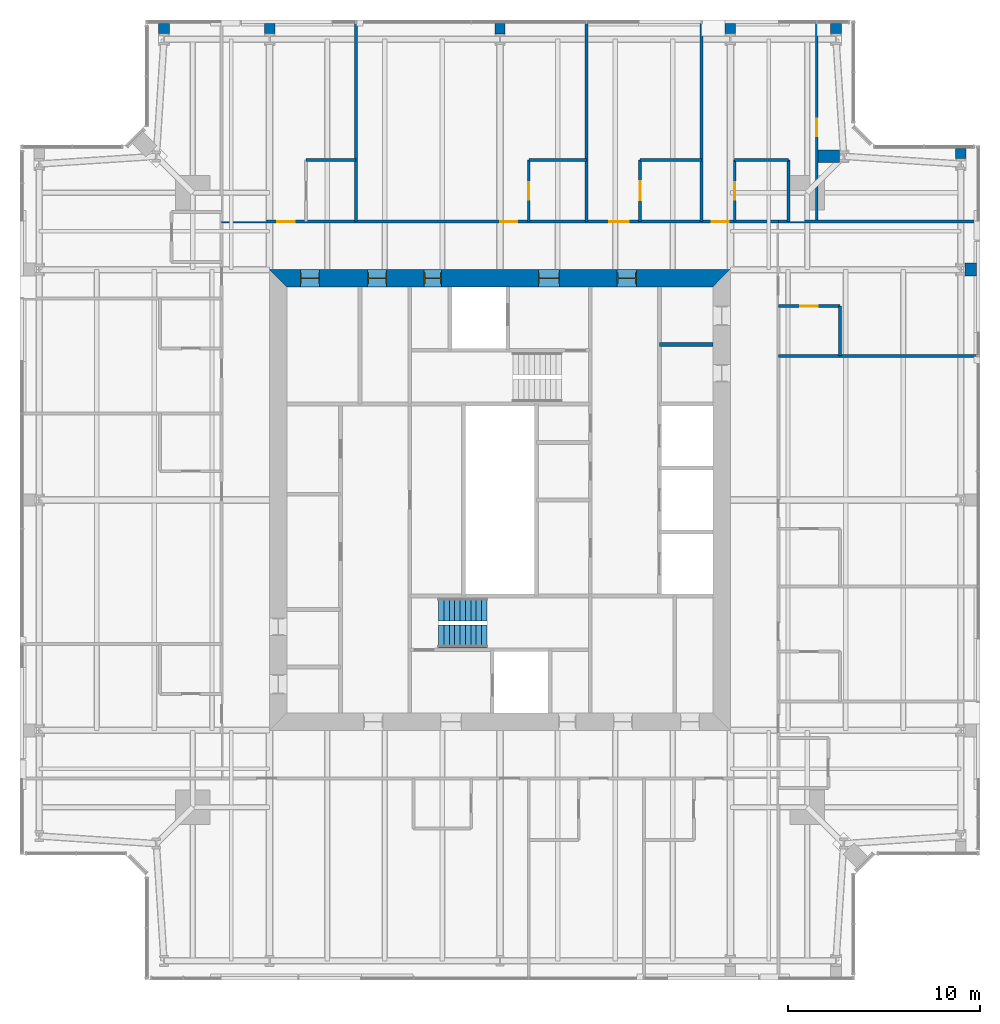
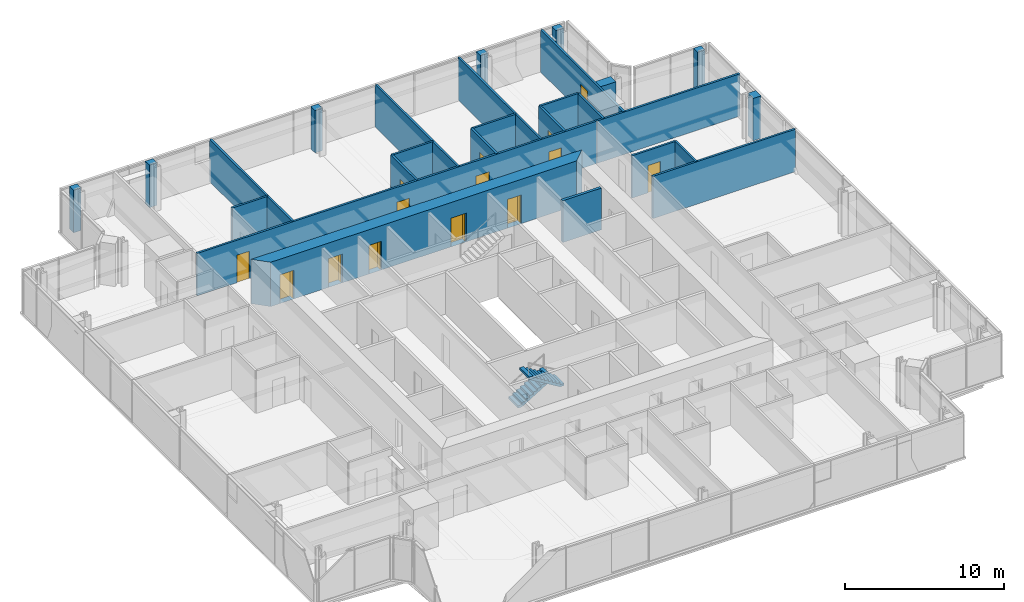
# One storey, part 14 of 18: 27 walls, 14 doors, 2 stair flights, 14 openings, 1 element without a shape of its own.
"""IFC4 building model written with IfcOpenShell, lengths in metres."""

from ifc_helpers import new_model, si_unit, direction, frame, frame_2d, origin, place, context, subcontext, project, spatial, polyline, rectangle, outline, extrude, material, layer, layer_set, type_object, element, fill, aggregate, save


model = new_model("IFC4")

# Units and contexts
model_context = context("Model", 3, precision=1e-05, world=origin(), true_north=direction((0.0, 1.0)))
body_context = subcontext(model_context, "Body", "Model", "MODEL_VIEW")
ifc_project = project(units=[si_unit("LENGTHUNIT", "METRE"), si_unit("AREAUNIT", "SQUARE_METRE"), si_unit("VOLUMEUNIT", "CUBIC_METRE"), si_unit("PLANEANGLEUNIT", "RADIAN"), si_unit("MASSUNIT", "GRAM", prefix="KILO")], contexts=[model_context])

# Site, building, storey
site_placement = place(None, origin())
site = spatial("IfcSite", under=ifc_project, at=site_placement, CompositionType="ELEMENT")
building_placement = place(site_placement, origin())
building = spatial("IfcBuilding", under=site, at=building_placement, Name="Fenwick Lantern Interchange", CompositionType="ELEMENT")
storey_placement = place(building_placement, frame((0.0, 0.0, 266.199951171875)))
storey = spatial("IfcBuildingStorey", under=building, at=storey_placement, Name="L63", CompositionType="ELEMENT", Elevation=266.199951171875)

# Walls
ifc_material_1 = material(Name="Fire-rated gypsum board encasement on steel studs, 2 hour", Category="steel")
ifc_layer_1 = layer(ifc_material_1, 0.5419921875)
ifc_layer_set_1 = layer_set([ifc_layer_1], Name="COLUMN PIER 542")
wall_type_1 = type_object("IfcWallType", Name="COLUMN PIER 542", PredefinedType="PARTITIONING", material=ifc_layer_set_1)
wall_1_placement = place(storey_placement, frame((25.0, 49.81005859375, 0.0), z_axis=(0.0, 0.0, 1.0), x_axis=(0.0, -1.0, 0.0)))
element("IfcWall", 1, at=wall_1_placement, inside=storey, type_object=wall_type_1, Name="L63/W/PIER/CN3", PredefinedType="PARTITIONING", context=body_context, shape_type="SweptSolid", body=[
    extrude(rectangle(XDim=0.544677734375, YDim=0.5419921875, at=frame_2d((0.2724609375, 0.0))), origin(), (0.0, 0.0, 1.0), 3.25),
])
ifc_layer_2 = layer(ifc_material_1, 0.554931640625)
ifc_layer_set_2 = layer_set([ifc_layer_2], Name="COLUMN PIER 555")
wall_type_2 = type_object("IfcWallType", Name="COLUMN PIER 555", PredefinedType="PARTITIONING", material=ifc_layer_set_2)
for number, where, z_axis, x_axis, name in (
    (2, (49.0, 43.31005859375, 0.0), (0.0, 0.0, 1.0), (0.0, -1.0, 0.0), "L63/W/PIER/CE5"),
    (3, (42.5, 49.81005859375, 0.0), (0.0, 0.0, 1.0), (0.0, -1.0, 0.0), "L63/W/PIER/CN1"),
    (4, (37.0, 49.81005859375, 0.0), (0.0, 0.0, 1.0), (0.0, -1.0, 0.0), "L63/W/PIER/CN2"),
    (5, (13.0, 49.81005859375, 0.0), (0.0, 0.0, 1.0), (0.0, -1.0, 0.0), "L63/W/PIER/CN4"),
    (6, (7.5, 49.81005859375, 0.0), (0.0, 0.0, 1.0), (0.0, -1.0, 0.0), "L63/W/PIER/CN5"),
):
    element("IfcWall", number, at=place(storey_placement, frame(where, z_axis=z_axis, x_axis=x_axis)), inside=storey, type_object=wall_type_2, Name=name, PredefinedType="PARTITIONING", context=body_context, shape_type="SweptSolid", body=[
        extrude(rectangle(XDim=0.525634765625, YDim=0.554931640625, at=frame_2d((0.2626953125, 0.0))), origin(), (0.0, 0.0, 1.0), 3.25),
    ])
ifc_layer_3 = layer(ifc_material_1, 0.6689453125)
ifc_layer_set_3 = layer_set([ifc_layer_3], Name="COLUMN PIER 669")
wall_type_3 = type_object("IfcWallType", Name="COLUMN PIER 669", PredefinedType="PARTITIONING", material=ifc_layer_set_3)
wall_2_placement = place(storey_placement, frame((49.81005859375, 37.0, 0.0), z_axis=(0.0, 0.0, 1.0), x_axis=(-1.0, 0.0, 0.0)))
element("IfcWall", 7, at=wall_2_placement, inside=storey, type_object=wall_type_3, Name="L63/W/PIER/CE4", PredefinedType="PARTITIONING", context=body_context, shape_type="SweptSolid", body=[
    extrude(rectangle(XDim=0.582763671875, YDim=0.6689453125, at=frame_2d((0.29150390625, 0.0))), origin(), (0.0, 0.0, 1.0), 3.25),
])
wall_3_placement = place(storey_placement, frame((41.574951171875, 42.89990234375, 0.0), z_axis=(0.0, 0.0, 1.0), x_axis=(1.0, 0.0, 0.0)))
element("IfcWall", 8, at=wall_3_placement, inside=storey, type_object=wall_type_3, Name="L63/W/PIER/CER", PredefinedType="PARTITIONING", context=body_context, shape_type="SweptSolid", body=[
    extrude(rectangle(XDim=1.09765625, YDim=0.6689453125, at=frame_2d((0.548828125, 0.0))), origin(), (0.0, 0.0, 1.0), 3.25),
])
ifc_material_2 = material(Name="Concrete masonry ASTM C90 Grade N", Category="masonry")
ifc_layer_4 = layer(ifc_material_2, 0.199951171875)
ifc_layer_set_4 = layer_set([ifc_layer_4], Name="Concrete masonry ASTM C90 Grade N")
wall_type_4 = type_object("IfcWallType", Name="CORE PARTITION 200", PredefinedType="PARTITIONING", material=ifc_layer_set_4)
wall_4_placement = place(storey_placement, frame((36.10009765625, 33.10009765625, 0.0), z_axis=(0.0, 0.0, 1.0), x_axis=(-1.0, 0.0, 0.0)))
element("IfcWall", 9, at=wall_4_placement, inside=storey, type_object=wall_type_4, Name="L63/W/COREN/p1", PredefinedType="PARTITIONING", context=body_context, shape_type="SweptSolid", body=[
    extrude(rectangle(XDim=2.800048828125, YDim=0.199951171875, at=frame_2d((1.39990234375, 0.0))), origin(), (0.0, 0.0, 1.0), 3.199951171875),
])

# Wall, openings, doors
ifc_material_3 = material(Name="Concrete f'c 70 MPa", Category="concrete")
ifc_layer_5 = layer(ifc_material_3, 0.89990234375)
ifc_layer_set_5 = layer_set([ifc_layer_5], Name="CORE WALL 900")
wall_type_5 = type_object("IfcWallType", Name="CORE WALL 900", PredefinedType="SHEAR", material=ifc_layer_set_5)
wall_5_placement = place(storey_placement, frame((37.0, 36.550048828125, 0.0), z_axis=(0.0, 0.0, 1.0), x_axis=(-1.0, 0.0, 0.0)))
wall_5 = element("IfcWall", 10, at=wall_5_placement, inside=storey, type_object=wall_type_5, Name="L63/CORE/N", PredefinedType="SHEAR", context=body_context, shape_type="SweptSolid", body=[
    extrude(outline(polyline([(0.0, -0.449951171875), (24.0, -0.449951171875), (23.10009765625, 0.449951171875), (0.89990234375, 0.449951171875), (0.0, -0.449951171875)])), origin(), (0.0, 0.0, 1.0), 3.400146484375),
])
opening_1_placement = place(wall_5_placement, frame((4.89990234375, 0.0, 0.0)))
opening_1 = element("IfcOpeningElement", 11, at=opening_1_placement, cuts=wall_5, Name="Opening L63-D012", PredefinedType="OPENING", context=body_context, shape_type="SweptSolid", body=[
    extrude(rectangle(XDim=1.0, YDim=2.199951171875, at=frame_2d((0.5, 1.10009765625))), frame((0.0, 0.4599609375, 0.0), z_axis=(0.0, -1.0, 0.0), x_axis=(1.0, 0.0, 0.0)), (0.0, 0.0, 1.0), 0.919921875),
])
opening_2_placement = place(wall_5_placement, frame((8.89990234375, 0.0, 0.0)))
opening_2 = element("IfcOpeningElement", 12, at=opening_2_placement, cuts=wall_5, Name="Opening L63-D013", PredefinedType="OPENING", context=body_context, shape_type="SweptSolid", body=[
    extrude(rectangle(XDim=1.10009765625, YDim=2.199951171875, at=frame_2d((0.550048828125, 1.10009765625))), frame((0.0, 0.4599609375, 0.0), z_axis=(0.0, -1.0, 0.0), x_axis=(1.0, 0.0, 0.0)), (0.0, 0.0, 1.0), 0.919921875),
])
opening_3_placement = place(wall_5_placement, frame((15.050048828125, 0.0, 0.0)))
opening_3 = element("IfcOpeningElement", 13, at=opening_3_placement, cuts=wall_5, Name="Opening L63-D015", PredefinedType="OPENING", context=body_context, shape_type="SweptSolid", body=[
    extrude(rectangle(XDim=0.89990234375, YDim=2.199951171875, at=frame_2d((0.449951171875, 1.10009765625))), frame((0.0, 0.4599609375, 0.0), z_axis=(0.0, -1.0, 0.0), x_axis=(1.0, 0.0, 0.0)), (0.0, 0.0, 1.0), 0.919921875),
])
opening_4_placement = place(wall_5_placement, frame((17.89990234375, 0.0, 0.0)))
opening_4 = element("IfcOpeningElement", 14, at=opening_4_placement, cuts=wall_5, Name="Opening L63-D016", PredefinedType="OPENING", context=body_context, shape_type="SweptSolid", body=[
    extrude(rectangle(XDim=1.0, YDim=2.199951171875, at=frame_2d((0.5, 1.10009765625))), frame((0.0, 0.4599609375, 0.0), z_axis=(0.0, -1.0, 0.0), x_axis=(1.0, 0.0, 0.0)), (0.0, 0.0, 1.0), 0.919921875),
])
opening_5_placement = place(wall_5_placement, frame((21.39990234375, 0.0, 0.0)))
opening_5 = element("IfcOpeningElement", 15, at=opening_5_placement, cuts=wall_5, Name="Opening L63-D017", PredefinedType="OPENING", context=body_context, shape_type="SweptSolid", body=[
    extrude(rectangle(XDim=1.0, YDim=2.199951171875, at=frame_2d((0.5, 1.10009765625))), frame((0.0, 0.4599609375, 0.0), z_axis=(0.0, -1.0, 0.0), x_axis=(1.0, 0.0, 0.0)), (0.0, 0.0, 1.0), 0.919921875),
])
ifc_material_4 = material(Name="Steel door and frame", Category="steel")
door_type_1 = type_object("IfcDoorType", Name="CORE LOBBY DOOR 1000 X 2200", OperationType="SINGLE_SWING_LEFT", PredefinedType="DOOR", material=ifc_material_4)
door_1_placement = place(opening_1_placement, origin())
door_1 = element("IfcDoor", 16, at=door_1_placement, inside=storey, type_object=door_type_1, Name="Core lobby door", OperationType="SINGLE_SWING_LEFT", OverallHeight=2.199951171875, OverallWidth=1.0, PredefinedType="DOOR", context=body_context, shape_type="SweptSolid", body=[
    extrude(rectangle(XDim=1.0, YDim=2.199951171875, at=frame_2d((0.5, 1.10009765625))), frame((0.0, 0.02490234375, 0.0), z_axis=(0.0, -1.0, 0.0), x_axis=(1.0, 0.0, 0.0)), (0.0, 0.0, 1.0), 0.050048828125),
    extrude(outline(polyline([(0.0, 0.0), (0.0400390625, 0.0), (0.0400390625, 2.159912109375), (0.9599609375, 2.159912109375), (0.9599609375, 0.0), (1.0, 0.0), (1.0, 2.199951171875), (0.0, 2.199951171875), (0.0, 0.0)])), frame((0.0, 0.300048828125, 0.0), z_axis=(0.0, -1.0, 0.0), x_axis=(1.0, 0.0, 0.0)), (0.0, 0.0, 1.0), 0.60009765625),
])
fill(opening_1, door_1)
door_type_2 = type_object("IfcDoorType", Name="FIRE LOBBY DOOR 1100 X 2200", OperationType="SINGLE_SWING_LEFT", PredefinedType="DOOR", material=ifc_material_4)
door_2_placement = place(opening_2_placement, origin())
door_2 = element("IfcDoor", 17, at=door_2_placement, inside=storey, type_object=door_type_2, Name="Fire lobby door", OperationType="SINGLE_SWING_LEFT", OverallHeight=2.199951171875, OverallWidth=1.10009765625, PredefinedType="DOOR", context=body_context, shape_type="SweptSolid", body=[
    extrude(rectangle(XDim=1.10009765625, YDim=2.199951171875, at=frame_2d((0.550048828125, 1.10009765625))), frame((0.0, 0.02490234375, 0.0), z_axis=(0.0, -1.0, 0.0), x_axis=(1.0, 0.0, 0.0)), (0.0, 0.0, 1.0), 0.050048828125),
    extrude(outline(polyline([(0.0, 0.0), (0.0400390625, 0.0), (0.0400390625, 2.159912109375), (1.06005859375, 2.159912109375), (1.06005859375, 0.0), (1.10009765625, 0.0), (1.10009765625, 2.199951171875), (0.0, 2.199951171875), (0.0, 0.0)])), frame((0.0, 0.300048828125, 0.0), z_axis=(0.0, -1.0, 0.0), x_axis=(1.0, 0.0, 0.0)), (0.0, 0.0, 1.0), 0.60009765625),
])
fill(opening_2, door_2)
door_type_3 = type_object("IfcDoorType", Name="SERVICE DOOR 900 X 2200", OperationType="SINGLE_SWING_LEFT", PredefinedType="DOOR", material=ifc_material_4)
door_3_placement = place(opening_3_placement, origin())
door_3 = element("IfcDoor", 18, at=door_3_placement, inside=storey, type_object=door_type_3, Name="Service door", OperationType="SINGLE_SWING_LEFT", OverallHeight=2.199951171875, OverallWidth=0.89990234375, PredefinedType="DOOR", context=body_context, shape_type="SweptSolid", body=[
    extrude(rectangle(XDim=0.89990234375, YDim=2.199951171875, at=frame_2d((0.449951171875, 1.10009765625))), frame((0.0, 0.02490234375, 0.0), z_axis=(0.0, -1.0, 0.0), x_axis=(1.0, 0.0, 0.0)), (0.0, 0.0, 1.0), 0.050048828125),
    extrude(outline(polyline([(0.0, 0.0), (0.0400390625, 0.0), (0.0400390625, 2.159912109375), (0.85986328125, 2.159912109375), (0.85986328125, 0.0), (0.89990234375, 0.0), (0.89990234375, 2.199951171875), (0.0, 2.199951171875), (0.0, 0.0)])), frame((0.0, 0.300048828125, 0.0), z_axis=(0.0, -1.0, 0.0), x_axis=(1.0, 0.0, 0.0)), (0.0, 0.0, 1.0), 0.60009765625),
])
fill(opening_3, door_3)
ifc_material_5 = material(Name="Hardwood door and steel frame", Category="steel")
door_type_4 = type_object("IfcDoorType", Name="WC DOOR 1000 X 2200", OperationType="SINGLE_SWING_LEFT", PredefinedType="DOOR", material=ifc_material_5)
door_4_placement = place(opening_4_placement, origin())
door_4 = element("IfcDoor", 19, at=door_4_placement, inside=storey, type_object=door_type_4, Name="Wc door", OperationType="SINGLE_SWING_RIGHT", OverallHeight=2.199951171875, OverallWidth=1.0, PredefinedType="DOOR", context=body_context, shape_type="SweptSolid", body=[
    extrude(rectangle(XDim=1.0, YDim=2.199951171875, at=frame_2d((0.5, 1.10009765625))), frame((0.0, 0.02490234375, 0.0), z_axis=(0.0, -1.0, 0.0), x_axis=(1.0, 0.0, 0.0)), (0.0, 0.0, 1.0), 0.050048828125),
    extrude(outline(polyline([(0.0, 0.0), (0.0400390625, 0.0), (0.0400390625, 2.159912109375), (0.9599609375, 2.159912109375), (0.9599609375, 0.0), (1.0, 0.0), (1.0, 2.199951171875), (0.0, 2.199951171875), (0.0, 0.0)])), frame((0.0, 0.300048828125, 0.0), z_axis=(0.0, -1.0, 0.0), x_axis=(1.0, 0.0, 0.0)), (0.0, 0.0, 1.0), 0.60009765625),
])
fill(opening_4, door_4)
door_5_placement = place(opening_5_placement, origin())
door_5 = element("IfcDoor", 20, at=door_5_placement, inside=storey, type_object=door_type_4, Name="Wc door", OperationType="SINGLE_SWING_RIGHT", OverallHeight=2.199951171875, OverallWidth=1.0, PredefinedType="DOOR", context=body_context, shape_type="SweptSolid", body=[
    extrude(rectangle(XDim=1.0, YDim=2.199951171875, at=frame_2d((0.5, 1.10009765625))), frame((0.0, 0.02490234375, 0.0), z_axis=(0.0, -1.0, 0.0), x_axis=(1.0, 0.0, 0.0)), (0.0, 0.0, 1.0), 0.050048828125),
    extrude(outline(polyline([(0.0, 0.0), (0.0400390625, 0.0), (0.0400390625, 2.159912109375), (0.9599609375, 2.159912109375), (0.9599609375, 0.0), (1.0, 0.0), (1.0, 2.199951171875), (0.0, 2.199951171875), (0.0, 0.0)])), frame((0.0, 0.300048828125, 0.0), z_axis=(0.0, -1.0, 0.0), x_axis=(1.0, 0.0, 0.0)), (0.0, 0.0, 1.0), 0.60009765625),
])
fill(opening_5, door_5)

ifc_material_6 = material(Name="Gypsum board on steel studs, 1 hour", Category="steel")
ifc_layer_6 = layer(ifc_material_6, 0.14990234375)
ifc_layer_set_6 = layer_set([ifc_layer_6], Name="CORRIDOR WALL 150")
wall_type_6 = type_object("IfcWallType", Name="CORRIDOR WALL 150", PredefinedType="PARTITIONING", material=ifc_layer_set_6)
wall_6_placement = place(storey_placement, frame((39.5, 39.5, 0.0), z_axis=(0.0, 0.0, 1.0), x_axis=(-1.0, 0.0, 0.0)))
wall_6 = element("IfcWall", 21, at=wall_6_placement, inside=storey, type_object=wall_type_6, Name="L63/W/HOTEL/N/CW", PredefinedType="PARTITIONING", context=body_context, shape_type="SweptSolid", body=[
    extrude(rectangle(XDim=29.0, YDim=0.14990234375, at=frame_2d((14.5, 0.0))), origin(), (0.0, 0.0, 1.0), 3.25),
])
opening_6_placement = place(wall_6_placement, frame((2.574951171875, 0.0, 0.0)))
opening_6 = element("IfcOpeningElement", 22, at=opening_6_placement, cuts=wall_6, Name="Opening L63-D040", PredefinedType="OPENING", context=body_context, shape_type="SweptSolid", body=[
    extrude(rectangle(XDim=0.89990234375, YDim=2.10009765625, at=frame_2d((0.449951171875, 1.050048828125))), frame((0.0, 0.0849609375, 0.0), z_axis=(0.0, -1.0, 0.0), x_axis=(1.0, 0.0, 0.0)), (0.0, 0.0, 1.0), 0.169921875),
])
opening_7_placement = place(wall_6_placement, frame((7.800048828125, 0.0, 0.0)))
opening_7 = element("IfcOpeningElement", 23, at=opening_7_placement, cuts=wall_6, Name="Opening L63-D042", PredefinedType="OPENING", context=body_context, shape_type="SweptSolid", body=[
    extrude(rectangle(XDim=1.0, YDim=2.10009765625, at=frame_2d((0.5, 1.050048828125))), frame((0.0, 0.0849609375, 0.0), z_axis=(0.0, -1.0, 0.0), x_axis=(1.0, 0.0, 0.0)), (0.0, 0.0, 1.0), 0.169921875),
])
opening_8_placement = place(wall_6_placement, frame((13.60009765625, 0.0, 0.0)))
opening_8 = element("IfcOpeningElement", 24, at=opening_8_placement, cuts=wall_6, Name="Opening L63-D044", PredefinedType="OPENING", context=body_context, shape_type="SweptSolid", body=[
    extrude(rectangle(XDim=0.89990234375, YDim=2.10009765625, at=frame_2d((0.449951171875, 1.050048828125))), frame((0.0, 0.0849609375, 0.0), z_axis=(0.0, -1.0, 0.0), x_axis=(1.0, 0.0, 0.0)), (0.0, 0.0, 1.0), 0.169921875),
])
opening_9_placement = place(wall_6_placement, frame((25.199951171875, 0.0, 0.0)))
opening_9 = element("IfcOpeningElement", 25, at=opening_9_placement, cuts=wall_6, Name="Opening L63-D046", PredefinedType="OPENING", context=body_context, shape_type="SweptSolid", body=[
    extrude(rectangle(XDim=0.89990234375, YDim=2.10009765625, at=frame_2d((0.449951171875, 1.050048828125))), frame((0.0, 0.0849609375, 0.0), z_axis=(0.0, -1.0, 0.0), x_axis=(1.0, 0.0, 0.0)), (0.0, 0.0, 1.0), 0.169921875),
])
door_type_5 = type_object("IfcDoorType", Name="GUEST ROOM DOOR 1000 X 2100", OperationType="SINGLE_SWING_LEFT", PredefinedType="DOOR", material=ifc_material_4)
door_6_placement = place(opening_7_placement, frame((1.0, 0.0, 0.0), z_axis=(0.0, 0.0, 1.0), x_axis=(-1.0, 0.0, 0.0)))
door_6 = element("IfcDoor", 26, at=door_6_placement, inside=storey, type_object=door_type_5, Name="Guest room door", OperationType="SINGLE_SWING_RIGHT", OverallHeight=2.10009765625, OverallWidth=1.0, PredefinedType="DOOR", context=body_context, shape_type="SweptSolid", body=[
    extrude(rectangle(XDim=1.0, YDim=2.10009765625, at=frame_2d((0.5, 1.050048828125))), frame((0.0, 0.02490234375, 0.0), z_axis=(0.0, -1.0, 0.0), x_axis=(1.0, 0.0, 0.0)), (0.0, 0.0, 1.0), 0.050048828125),
])
fill(opening_7, door_6)
door_type_6 = type_object("IfcDoorType", Name="GUEST ROOM DOOR 900 X 2100", OperationType="SINGLE_SWING_LEFT", PredefinedType="DOOR", material=ifc_material_4)
door_7_placement = place(opening_6_placement, frame((0.89990234375, 0.0, 0.0), z_axis=(0.0, 0.0, 1.0), x_axis=(-1.0, 0.0, 0.0)))
door_7 = element("IfcDoor", 27, at=door_7_placement, inside=storey, type_object=door_type_6, Name="Guest room door", OperationType="SINGLE_SWING_RIGHT", OverallHeight=2.10009765625, OverallWidth=0.89990234375, PredefinedType="DOOR", context=body_context, shape_type="SweptSolid", body=[
    extrude(rectangle(XDim=0.89990234375, YDim=2.10009765625, at=frame_2d((0.449951171875, 1.050048828125))), frame((0.0, 0.02490234375, 0.0), z_axis=(0.0, -1.0, 0.0), x_axis=(1.0, 0.0, 0.0)), (0.0, 0.0, 1.0), 0.050048828125),
])
fill(opening_6, door_7)
door_8_placement = place(opening_8_placement, frame((0.89990234375, 0.0, 0.0), z_axis=(0.0, 0.0, 1.0), x_axis=(-1.0, 0.0, 0.0)))
door_8 = element("IfcDoor", 28, at=door_8_placement, inside=storey, type_object=door_type_6, Name="Guest room door", OperationType="SINGLE_SWING_RIGHT", OverallHeight=2.10009765625, OverallWidth=0.89990234375, PredefinedType="DOOR", context=body_context, shape_type="SweptSolid", body=[
    extrude(rectangle(XDim=0.89990234375, YDim=2.10009765625, at=frame_2d((0.449951171875, 1.050048828125))), frame((0.0, 0.02490234375, 0.0), z_axis=(0.0, -1.0, 0.0), x_axis=(1.0, 0.0, 0.0)), (0.0, 0.0, 1.0), 0.050048828125),
])
fill(opening_8, door_8)
door_9_placement = place(opening_9_placement, frame((0.89990234375, 0.0, 0.0), z_axis=(0.0, 0.0, 1.0), x_axis=(-1.0, 0.0, 0.0)))
door_9 = element("IfcDoor", 29, at=door_9_placement, inside=storey, type_object=door_type_6, Name="Guest room door", OperationType="SINGLE_SWING_RIGHT", OverallHeight=2.10009765625, OverallWidth=0.89990234375, PredefinedType="DOOR", context=body_context, shape_type="SweptSolid", body=[
    extrude(rectangle(XDim=0.89990234375, YDim=2.10009765625, at=frame_2d((0.449951171875, 1.050048828125))), frame((0.0, 0.02490234375, 0.0), z_axis=(0.0, -1.0, 0.0), x_axis=(1.0, 0.0, 0.0)), (0.0, 0.0, 1.0), 0.050048828125),
])
fill(opening_9, door_9)

# Wall
ifc_material_7 = material(Name="Gypsum board on steel studs, moisture resistant", Category="steel")
ifc_layer_7 = layer(ifc_material_7, 0.14990234375)
ifc_layer_set_7 = layer_set([ifc_layer_7], Name="EN-SUITE WALL 150")
wall_type_7 = type_object("IfcWallType", Name="EN-SUITE WALL 150", PredefinedType="PARTITIONING", material=ifc_layer_set_7)
wall_7_placement = place(storey_placement, frame((42.699951171875, 32.5, 0.0), z_axis=(0.0, 0.0, 1.0), x_axis=(0.0, 1.0, 0.0)))
element("IfcWall", 30, at=wall_7_placement, inside=storey, type_object=wall_type_7, Name="L63/W/HOTEL/E/U4BW", PredefinedType="PARTITIONING", context=body_context, shape_type="SweptSolid", body=[
    extrude(rectangle(XDim=2.60009765625, YDim=0.14990234375, at=frame_2d((1.300048828125, 0.0))), origin(), (0.0, 0.0, 1.0), 3.25),
])

# Wall, opening, door
wall_8_placement = place(storey_placement, frame((42.699951171875, 35.10009765625, 0.0), z_axis=(0.0, 0.0, 1.0), x_axis=(-1.0, 0.0, 0.0)))
wall_8 = element("IfcWall", 31, at=wall_8_placement, inside=storey, type_object=wall_type_7, Name="L63/W/HOTEL/E/U4BX", PredefinedType="PARTITIONING", context=body_context, shape_type="SweptSolid", body=[
    extrude(rectangle(XDim=3.199951171875, YDim=0.14990234375, at=frame_2d((1.60009765625, 0.0))), origin(), (0.0, 0.0, 1.0), 3.25),
])
opening_10_placement = place(wall_8_placement, frame((1.14990234375, 0.0, 0.0)))
opening_10 = element("IfcOpeningElement", 32, at=opening_10_placement, cuts=wall_8, Name="Opening L63-D036", PredefinedType="OPENING", context=body_context, shape_type="SweptSolid", body=[
    extrude(rectangle(XDim=0.89990234375, YDim=2.10009765625, at=frame_2d((0.449951171875, 1.050048828125))), frame((0.0, 0.0849609375, 0.0), z_axis=(0.0, -1.0, 0.0), x_axis=(1.0, 0.0, 0.0)), (0.0, 0.0, 1.0), 0.169921875),
])
door_type_7 = type_object("IfcDoorType", Name="EN-SUITE DOOR 900 X 2100", OperationType="SINGLE_SWING_LEFT", PredefinedType="DOOR", material=ifc_material_5)
door_10_placement = place(opening_10_placement, origin())
door_10 = element("IfcDoor", 33, at=door_10_placement, inside=storey, type_object=door_type_7, Name="En-suite door", OperationType="SINGLE_SWING_LEFT", OverallHeight=2.10009765625, OverallWidth=0.89990234375, PredefinedType="DOOR", context=body_context, shape_type="SweptSolid", body=[
    extrude(rectangle(XDim=0.89990234375, YDim=2.10009765625, at=frame_2d((0.449951171875, 1.050048828125))), frame((0.0, 0.02490234375, 0.0), z_axis=(0.0, -1.0, 0.0), x_axis=(1.0, 0.0, 0.0)), (0.0, 0.0, 1.0), 0.050048828125),
])
fill(opening_10, door_10)

# Wall
wall_9_placement = place(storey_placement, frame((40.02490234375, 42.699951171875, 0.0), z_axis=(0.0, 0.0, 1.0), x_axis=(-1.0, 0.0, 0.0)))
element("IfcWall", 34, at=wall_9_placement, inside=storey, type_object=wall_type_7, Name="L63/W/HOTEL/N/U1BW", PredefinedType="PARTITIONING", context=body_context, shape_type="SweptSolid", body=[
    extrude(rectangle(XDim=2.7998046875, YDim=0.14990234375, at=frame_2d((1.39990234375, 0.0))), origin(), (0.0, 0.0, 1.0), 3.25),
])

# Wall, opening, door
wall_10_placement = place(storey_placement, frame((37.22509765625, 42.699951171875, 0.0), z_axis=(0.0, 0.0, 1.0), x_axis=(0.0, -1.0, 0.0)))
wall_10 = element("IfcWall", 35, at=wall_10_placement, inside=storey, type_object=wall_type_7, Name="L63/W/HOTEL/N/U1BX", PredefinedType="PARTITIONING", context=body_context, shape_type="SweptSolid", body=[
    extrude(rectangle(XDim=3.199951171875, YDim=0.14990234375, at=frame_2d((1.60009765625, 0.0))), origin(), (0.0, 0.0, 1.0), 3.25),
])
opening_11_placement = place(wall_10_placement, frame((1.14990234375, 0.0, 0.0)))
opening_11 = element("IfcOpeningElement", 36, at=opening_11_placement, cuts=wall_10, Name="Opening L63-D038", PredefinedType="OPENING", context=body_context, shape_type="SweptSolid", body=[
    extrude(rectangle(XDim=0.89990234375, YDim=2.10009765625, at=frame_2d((0.449951171875, 1.050048828125))), frame((0.0, 0.0849609375, 0.0), z_axis=(0.0, -1.0, 0.0), x_axis=(1.0, 0.0, 0.0)), (0.0, 0.0, 1.0), 0.169921875),
])
door_11_placement = place(opening_11_placement, origin())
door_11 = element("IfcDoor", 37, at=door_11_placement, inside=storey, type_object=door_type_7, Name="En-suite door", OperationType="SINGLE_SWING_LEFT", OverallHeight=2.10009765625, OverallWidth=0.89990234375, PredefinedType="DOOR", context=body_context, shape_type="SweptSolid", body=[
    extrude(rectangle(XDim=0.89990234375, YDim=2.10009765625, at=frame_2d((0.449951171875, 1.050048828125))), frame((0.0, 0.02490234375, 0.0), z_axis=(0.0, -1.0, 0.0), x_axis=(1.0, 0.0, 0.0)), (0.0, 0.0, 1.0), 0.050048828125),
])
fill(opening_11, door_11)

# Walls
for number, where, z_axis, x_axis, name in (
    (38, (40.02490234375, 42.699951171875, 0.0), (0.0, 0.0, 1.0), (0.0, -1.0, 0.0), "L63/W/HOTEL/N/U1BV"),
    (39, (35.5, 42.699951171875, 0.0), (0.0, 0.0, 1.0), (-1.0, 0.0, 0.0), "L63/W/HOTEL/N/U2BW"),
):
    element("IfcWall", number, at=place(storey_placement, frame(where, z_axis=z_axis, x_axis=x_axis)), inside=storey, type_object=wall_type_7, Name=name, PredefinedType="PARTITIONING", context=body_context, shape_type="SweptSolid", body=[
        extrude(rectangle(XDim=3.199951171875, YDim=0.14990234375, at=frame_2d((1.60009765625, 0.0))), origin(), (0.0, 0.0, 1.0), 3.25),
    ])

# Wall, opening, door
wall_11_placement = place(storey_placement, frame((32.300048828125, 42.699951171875, 0.0), z_axis=(0.0, 0.0, 1.0), x_axis=(0.0, -1.0, 0.0)))
wall_11 = element("IfcWall", 40, at=wall_11_placement, inside=storey, type_object=wall_type_7, Name="L63/W/HOTEL/N/U2BX", PredefinedType="PARTITIONING", context=body_context, shape_type="SweptSolid", body=[
    extrude(rectangle(XDim=3.199951171875, YDim=0.14990234375, at=frame_2d((1.60009765625, 0.0))), origin(), (0.0, 0.0, 1.0), 3.25),
])
opening_12_placement = place(wall_11_placement, frame((1.10009765625, 0.0, 0.0)))
opening_12 = element("IfcOpeningElement", 41, at=opening_12_placement, cuts=wall_11, Name="Opening L63-D041", PredefinedType="OPENING", context=body_context, shape_type="SweptSolid", body=[
    extrude(rectangle(XDim=1.0, YDim=2.10009765625, at=frame_2d((0.5, 1.050048828125))), frame((0.0, 0.0849609375, 0.0), z_axis=(0.0, -1.0, 0.0), x_axis=(1.0, 0.0, 0.0)), (0.0, 0.0, 1.0), 0.169921875),
])
door_type_8 = type_object("IfcDoorType", Name="EN-SUITE DOOR 1000 X 2100", OperationType="SINGLE_SWING_LEFT", PredefinedType="DOOR", material=ifc_material_5)
door_12_placement = place(opening_12_placement, origin())
door_12 = element("IfcDoor", 42, at=door_12_placement, inside=storey, type_object=door_type_8, Name="En-suite door", OperationType="SINGLE_SWING_LEFT", OverallHeight=2.10009765625, OverallWidth=1.0, PredefinedType="DOOR", context=body_context, shape_type="SweptSolid", body=[
    extrude(rectangle(XDim=1.0, YDim=2.10009765625, at=frame_2d((0.5, 1.050048828125))), frame((0.0, 0.02490234375, 0.0), z_axis=(0.0, -1.0, 0.0), x_axis=(1.0, 0.0, 0.0)), (0.0, 0.0, 1.0), 0.050048828125),
])
fill(opening_12, door_12)

# Wall
wall_12_placement = place(storey_placement, frame((29.5, 42.699951171875, 0.0), z_axis=(0.0, 0.0, 1.0), x_axis=(-1.0, 0.0, 0.0)))
element("IfcWall", 43, at=wall_12_placement, inside=storey, type_object=wall_type_7, Name="L63/W/HOTEL/N/U3BW", PredefinedType="PARTITIONING", context=body_context, shape_type="SweptSolid", body=[
    extrude(rectangle(XDim=3.0, YDim=0.14990234375, at=frame_2d((1.5, 0.0))), origin(), (0.0, 0.0, 1.0), 3.25),
])

# Wall, opening, door
wall_13_placement = place(storey_placement, frame((26.5, 42.699951171875, 0.0), z_axis=(0.0, 0.0, 1.0), x_axis=(0.0, -1.0, 0.0)))
wall_13 = element("IfcWall", 44, at=wall_13_placement, inside=storey, type_object=wall_type_7, Name="L63/W/HOTEL/N/U3BX", PredefinedType="PARTITIONING", context=body_context, shape_type="SweptSolid", body=[
    extrude(rectangle(XDim=3.199951171875, YDim=0.14990234375, at=frame_2d((1.60009765625, 0.0))), origin(), (0.0, 0.0, 1.0), 3.25),
])
opening_13_placement = place(wall_13_placement, frame((1.14990234375, 0.0, 0.0)))
opening_13 = element("IfcOpeningElement", 45, at=opening_13_placement, cuts=wall_13, Name="Opening L63-D043", PredefinedType="OPENING", context=body_context, shape_type="SweptSolid", body=[
    extrude(rectangle(XDim=0.89990234375, YDim=2.10009765625, at=frame_2d((0.449951171875, 1.050048828125))), frame((0.0, 0.0849609375, 0.0), z_axis=(0.0, -1.0, 0.0), x_axis=(1.0, 0.0, 0.0)), (0.0, 0.0, 1.0), 0.169921875),
])
door_13_placement = place(opening_13_placement, origin())
door_13 = element("IfcDoor", 46, at=door_13_placement, inside=storey, type_object=door_type_7, Name="En-suite door", OperationType="SINGLE_SWING_LEFT", OverallHeight=2.10009765625, OverallWidth=0.89990234375, PredefinedType="DOOR", context=body_context, shape_type="SweptSolid", body=[
    extrude(rectangle(XDim=0.89990234375, YDim=2.10009765625, at=frame_2d((0.449951171875, 1.050048828125))), frame((0.0, 0.02490234375, 0.0), z_axis=(0.0, -1.0, 0.0), x_axis=(1.0, 0.0, 0.0)), (0.0, 0.0, 1.0), 0.050048828125),
])
fill(opening_13, door_13)

# Walls
wall_14_placement = place(storey_placement, frame((17.5, 42.699951171875, 0.0), z_axis=(0.0, 0.0, 1.0), x_axis=(-1.0, 0.0, 0.0)))
element("IfcWall", 47, at=wall_14_placement, inside=storey, type_object=wall_type_7, Name="L63/W/HOTEL/N/U4BW", PredefinedType="PARTITIONING", context=body_context, shape_type="SweptSolid", body=[
    extrude(rectangle(XDim=2.60009765625, YDim=0.14990234375, at=frame_2d((1.300048828125, 0.0))), origin(), (0.0, 0.0, 1.0), 3.25),
])
ifc_material_8 = material(Name="Gypsum board on steel studs, 1 hour acoustic", Category="steel")
ifc_layer_8 = layer(ifc_material_8, 0.14990234375)
ifc_layer_set_8 = layer_set([ifc_layer_8], Name="PARTY WALL 150")
wall_type_8 = type_object("IfcWallType", Name="PARTY WALL 150", PredefinedType="PARTITIONING", material=ifc_layer_set_8)
for number, where, z_axis, x_axis, name in (
    (48, (49.85009765625, 32.5, 0.0), (0.0, 0.0, 1.0), (-1.0, 0.0, 0.0), "L63/W/HOTEL/E/U4PW"),
    (49, (49.85009765625, 39.5, 0.0), (0.0, 0.0, 1.0), (-1.0, 0.0, 0.0), "L63/W/HOTEL/N/SW3"),
    (50, (35.5, 49.85009765625, 0.0), (0.0, 0.0, 1.0), (0.0, -1.0, 0.0), "L63/W/HOTEL/N/U2PW"),
    (51, (29.5, 49.85009765625, 0.0), (0.0, 0.0, 1.0), (0.0, -1.0, 0.0), "L63/W/HOTEL/N/U3PW"),
    (52, (17.5, 49.85009765625, 0.0), (0.0, 0.0, 1.0), (0.0, -1.0, 0.0), "L63/W/HOTEL/N/U4PW"),
):
    element("IfcWall", number, at=place(storey_placement, frame(where, z_axis=z_axis, x_axis=x_axis)), inside=storey, type_object=wall_type_8, Name=name, PredefinedType="PARTITIONING", context=body_context, shape_type="SweptSolid", body=[
        extrude(rectangle(XDim=10.35009765625, YDim=0.14990234375, at=frame_2d((5.175048828125, 0.0))), origin(), (0.0, 0.0, 1.0), 3.25),
    ])

# Wall, opening, door
ifc_material_9 = material(Name="Gypsum board on steel studs, acoustic", Category="steel")
ifc_layer_9 = layer(ifc_material_9, 0.14990234375)
ifc_layer_set_9 = layer_set([ifc_layer_9], Name="SUITE PARTITION 150")
wall_type_9 = type_object("IfcWallType", Name="SUITE PARTITION 150", PredefinedType="PARTITIONING", material=ifc_layer_set_9)
wall_15_placement = place(storey_placement, frame((41.5, 49.85009765625, 0.0), z_axis=(0.0, 0.0, 1.0), x_axis=(0.0, -1.0, 0.0)))
wall_15 = element("IfcWall", 53, at=wall_15_placement, inside=storey, type_object=wall_type_9, Name="L63/W/HOTEL/N/U1P", PredefinedType="PARTITIONING", context=body_context, shape_type="SweptSolid", body=[
    extrude(rectangle(XDim=10.35009765625, YDim=0.14990234375, at=frame_2d((5.175048828125, 0.0))), origin(), (0.0, 0.0, 1.0), 3.25),
])
opening_14_placement = place(wall_15_placement, frame((5.0, 0.0, 0.0)))
opening_14 = element("IfcOpeningElement", 54, at=opening_14_placement, cuts=wall_15, Name="Opening L63-D039", PredefinedType="OPENING", context=body_context, shape_type="SweptSolid", body=[
    extrude(rectangle(XDim=0.89990234375, YDim=2.10009765625, at=frame_2d((0.449951171875, 1.050048828125))), frame((0.0, 0.0849609375, 0.0), z_axis=(0.0, -1.0, 0.0), x_axis=(1.0, 0.0, 0.0)), (0.0, 0.0, 1.0), 0.169921875),
])
door_type_9 = type_object("IfcDoorType", Name="SUITE INTERNAL DOOR 900 X 2100", OperationType="SINGLE_SWING_LEFT", PredefinedType="DOOR", material=ifc_material_5)
door_14_placement = place(opening_14_placement, origin())
door_14 = element("IfcDoor", 55, at=door_14_placement, inside=storey, type_object=door_type_9, Name="Suite internal door", OperationType="SINGLE_SWING_RIGHT", OverallHeight=2.10009765625, OverallWidth=0.89990234375, PredefinedType="DOOR", context=body_context, shape_type="SweptSolid", body=[
    extrude(rectangle(XDim=0.89990234375, YDim=2.10009765625, at=frame_2d((0.449951171875, 1.050048828125))), frame((0.0, 0.02490234375, 0.0), z_axis=(0.0, -1.0, 0.0), x_axis=(1.0, 0.0, 0.0)), (0.0, 0.0, 1.0), 0.050048828125),
])
fill(opening_14, door_14)

# Stair, stair flights
ifc_material_10 = material(Name="Precast concrete f'c 35 MPa", Category="concrete")
stair_type = type_object("IfcStairType", Name="EXIT STAIR 1200", PredefinedType="HALF_TURN_STAIR", material=ifc_material_10)
stair_placement = place(storey_placement, origin())
stair = element("IfcStair", 56, at=stair_placement, inside=storey, type_object=stair_type, Name="Exit stair ST1", PredefinedType="HALF_TURN_STAIR")
stair_flight_type = type_object("IfcStairFlightType", Name="STAIR FLIGHT 1200", PredefinedType="STRAIGHT", material=ifc_material_10)
stair_flight_1_placement = place(storey_placement, frame((21.800048828125, 19.300048828125, 0.0), z_axis=(0.0, 0.0, 1.0), x_axis=(1.0, 0.0, 0.0)))
stair_flight_1 = element("IfcStairFlight", 57, at=stair_flight_1_placement, type_object=stair_flight_type, Name="ST1 flight 1", NumberOfRisers=10, NumberOfTreads=9, PredefinedType="STRAIGHT", RiserHeight=0.17, TreadLength=0.28, context=body_context, shape_type="SweptSolid", body=[
    extrude(outline(polyline([(0.0, 0.0), (0.0, 0.169921875), (0.280029296875, 0.169921875), (0.280029296875, 0.340087890625), (0.56005859375, 0.340087890625), (0.56005859375, 0.510009765625), (0.840087890625, 0.510009765625), (0.840087890625, 0.679931640625), (1.1201171875, 0.679931640625), (1.1201171875, 0.85009765625), (1.39990234375, 0.85009765625), (1.39990234375, 1.02001953125), (1.679931640625, 1.02001953125), (1.679931640625, 1.18994140625), (1.9599609375, 1.18994140625), (1.9599609375, 1.360107421875), (2.239990234375, 1.360107421875), (2.239990234375, 1.530029296875), (2.52001953125, 1.530029296875), (2.52001953125, 1.699951171875), (2.52001953125, 1.354736328125), (0.288818359375, 0.0), (0.0, 0.0)])), frame((0.0, 0.60009765625, 0.0), z_axis=(0.0, -1.0, 0.0), x_axis=(1.0, 0.0, 0.0)), (0.0, 0.0, 1.0), 1.199951171875),
])
stair_flight_2_placement = place(storey_placement, frame((24.320068359375, 17.89990234375, 1.699951171875), z_axis=(0.0, 0.0, 1.0), x_axis=(-1.0, 0.0, 0.0)))
stair_flight_2 = element("IfcStairFlight", 58, at=stair_flight_2_placement, type_object=stair_flight_type, Name="ST1 flight 2", NumberOfRisers=10, NumberOfTreads=9, PredefinedType="STRAIGHT", RiserHeight=0.17, TreadLength=0.28, context=body_context, shape_type="SweptSolid", body=[
    extrude(outline(polyline([(0.0, 0.0), (0.0, 0.169921875), (0.280029296875, 0.169921875), (0.280029296875, 0.340087890625), (0.56005859375, 0.340087890625), (0.56005859375, 0.510009765625), (0.840087890625, 0.510009765625), (0.840087890625, 0.679931640625), (1.1201171875, 0.679931640625), (1.1201171875, 0.85009765625), (1.39990234375, 0.85009765625), (1.39990234375, 1.02001953125), (1.679931640625, 1.02001953125), (1.679931640625, 1.18994140625), (1.9599609375, 1.18994140625), (1.9599609375, 1.360107421875), (2.239990234375, 1.360107421875), (2.239990234375, 1.530029296875), (2.52001953125, 1.530029296875), (2.52001953125, 1.699951171875), (2.52001953125, 1.354736328125), (0.288818359375, 0.0), (0.0, 0.0)])), frame((0.0, 0.60009765625, 0.0), z_axis=(0.0, -1.0, 0.0), x_axis=(1.0, 0.0, 0.0)), (0.0, 0.0, 1.0), 1.199951171875),
])
aggregate(stair, [stair_flight_1, stair_flight_2])

save(model, "model.ifc")
